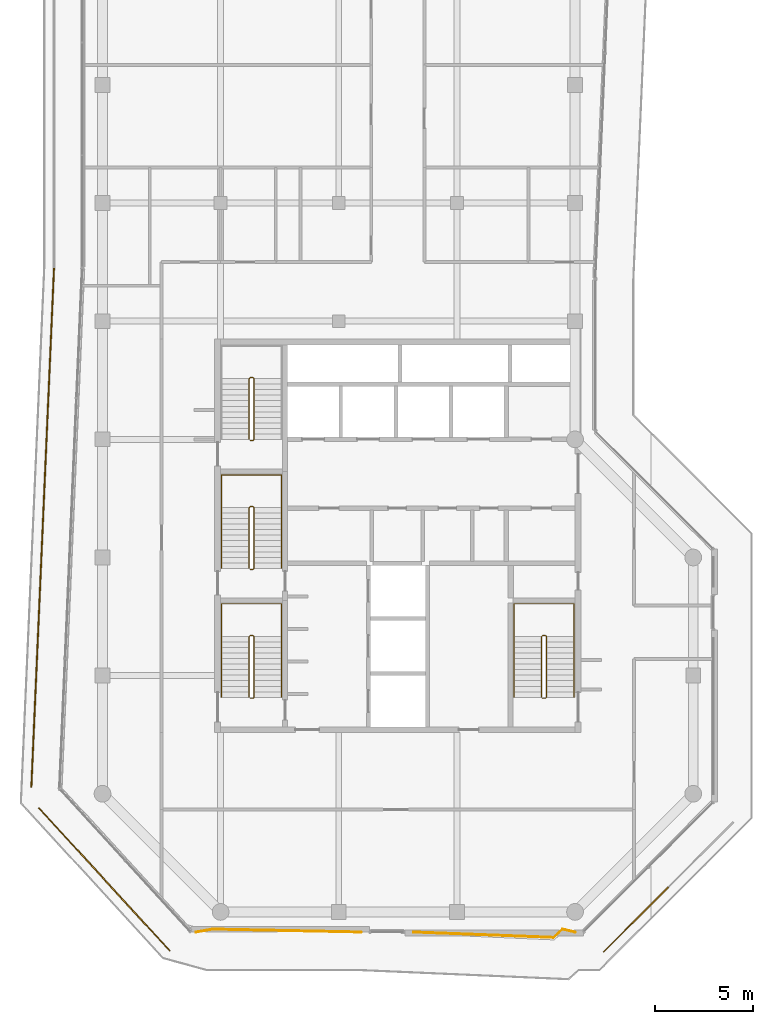
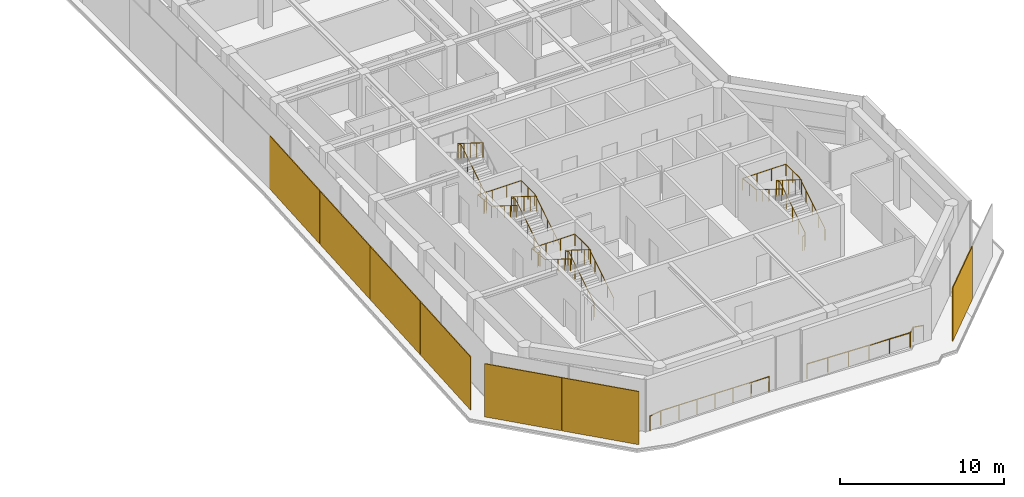
# One storey, part 18 of 19: 9 railings, 7 coverings.
"""IFC4 building model written with IfcOpenShell, lengths in metres."""

from ifc_helpers import new_model, si_unit, direction, frame, origin, origin_2d, place, context, subcontext, project, spatial, rectangle, circle, extrude, material, layer, layer_set, type_object, element, save


model = new_model("IFC4")

# Units and contexts
model_context = context("Model", 3, precision=1e-05, world=origin(), true_north=direction((0.0, 1.0)))
body_context = subcontext(model_context, "Body", "Model", "MODEL_VIEW")
ifc_project = project(units=[si_unit("LENGTHUNIT", "METRE"), si_unit("AREAUNIT", "SQUARE_METRE"), si_unit("VOLUMEUNIT", "CUBIC_METRE"), si_unit("PLANEANGLEUNIT", "RADIAN"), si_unit("MASSUNIT", "GRAM", prefix="KILO")], contexts=[model_context])

# Site, building, storey
site_placement = place(None, origin())
site = spatial("IfcSite", under=ifc_project, at=site_placement, CompositionType="ELEMENT")
building_placement = place(site_placement, origin())
building = spatial("IfcBuilding", under=site, at=building_placement, Name="Welwitschia Terrace Campus", CompositionType="ELEMENT")
storey_placement = place(building_placement, frame((0.0, 0.0, 276.800048828125)))
storey = spatial("IfcBuildingStorey", under=building, at=storey_placement, Name="L61", CompositionType="ELEMENT", Elevation=276.800048828125)

# Coverings
ifc_material_1 = material(Name="Bronze mesh aluminium screen", Category="aluminium")
ifc_layer = layer(ifc_material_1, 0.06005859375)
ifc_layer_set = layer_set([ifc_layer], Name="Bronze mesh aluminium screen")
covering_type = type_object("IfcCoveringType", Name="Bronze screen 60", PredefinedType="USERDEFINED", material=ifc_layer_set)
for number, where, z_axis, x_axis, name in (
    (1, (-2.60302734375, 25.47021484375, 0.0), (0.0, 0.0, 1.0), (-0.043619387365, -0.999048221582, 0.0), "Screen L61.0.0"),
    (2, (-2.891845703125, 18.8544921875, 0.0), (0.0, 0.0, 1.0), (-0.043619387365, -0.999048221582, 0.0), "Screen L61.0.1"),
    (3, (-3.1806640625, 12.239013671875, 0.0), (0.0, 0.0, 1.0), (-0.043619387365, -0.999048221582, 0.0), "Screen L61.0.2"),
    (4, (-3.469482421875, 5.623291015625, 0.0), (0.0, 0.0, 1.0), (-0.043619387365, -0.999048221582, 0.0), "Screen L61.0.3"),
):
    element("IfcCovering", number, at=place(storey_placement, frame(where, z_axis=z_axis, x_axis=x_axis)), inside=storey, type_object=covering_type, Name=name, ObjectType="SCREEN", PredefinedType="USERDEFINED", context=body_context, shape_type="SweptSolid", body=[
        extrude(rectangle(XDim=6.601806640625, YDim=0.06005859375, at=origin_2d()), origin(), (0.0, 0.0, 1.0), 3.949951171875),
    ])
for number, where, z_axis, x_axis, name in (
    (5, (-1.5712890625, -0.53369140625, 0.0), (0.0, 0.0, 1.0), (0.675590207616, -0.73727733681, 0.0), "Screen L61.1.0"),
    (6, (1.765869140625, -4.17529296875, 0.0), (0.0, 0.0, 1.0), (0.675590207616, -0.73727733681, 0.0), "Screen L61.1.1"),
):
    element("IfcCovering", number, at=place(storey_placement, frame(where, z_axis=z_axis, x_axis=x_axis)), inside=storey, type_object=covering_type, Name=name, ObjectType="SCREEN", PredefinedType="USERDEFINED", context=body_context, shape_type="SweptSolid", body=[
        extrude(rectangle(XDim=4.919189453125, YDim=0.06005859375, at=origin_2d()), origin(), (0.0, 0.0, 1.0), 3.949951171875),
    ])
covering_placement = place(storey_placement, frame((27.088623046875, -4.390380859375, 0.0), z_axis=(0.0, 0.0, 1.0), x_axis=(0.707106781187, 0.707106781187, 0.0)))
element("IfcCovering", 7, at=covering_placement, inside=storey, type_object=covering_type, Name="Screen L61.3.0", ObjectType="SCREEN", PredefinedType="USERDEFINED", context=body_context, shape_type="SweptSolid", body=[
    extrude(rectangle(XDim=4.6494140625, YDim=0.06005859375, at=origin_2d()), origin(), (0.0, 0.0, 1.0), 3.949951171875),
])

# Railings
ifc_material_2 = material(Name="Stainless steel grade 316", Category="steel")
railing_type_1 = type_object("IfcRailingType", Name="Guard 1100", PredefinedType="GUARDRAIL", material=ifc_material_2)
railing_1_placement = place(storey_placement, frame((13.1337890625, -5.030029296875, 0.0)))
element("IfcRailing", 8, at=railing_1_placement, inside=storey, type_object=railing_type_1, Name="Guard floor edge L61.1", PredefinedType="GUARDRAIL", context=body_context, shape_type="SweptSolid", body=[
    extrude(circle(Radius=0.02392578125, at=origin_2d()), frame((0.0, 0.0, 1.076171875), z_axis=(-0.999801353701, 0.019931210131, 0.0), x_axis=(-0.019931210131, -0.999801353701, 0.0)), (0.0, 0.0, 1.0), 7.533203125),
    extrude(circle(Radius=0.02392578125, at=origin_2d()), frame((-7.53173828125, 0.150146484375, 1.076171875), z_axis=(-0.984961218681, -0.172775570305, 0.0), x_axis=(0.172775570305, -0.984961218681, 0.0)), (0.0, 0.0, 1.0), 0.869140625),
    extrude(circle(Radius=0.02099609375, at=origin_2d()), origin(), (0.0, 0.0, 1.0), 1.052001953125),
    extrude(circle(Radius=0.02099609375, at=origin_2d()), frame((-1.25537109375, 0.02490234375, 0.0)), (0.0, 0.0, 1.0), 1.052001953125),
    extrude(circle(Radius=0.02099609375, at=origin_2d()), frame((-2.510498046875, 0.050048828125, 0.0)), (0.0, 0.0, 1.0), 1.052001953125),
    extrude(circle(Radius=0.02099609375, at=origin_2d()), frame((-3.765869140625, 0.0751953125, 0.0)), (0.0, 0.0, 1.0), 1.052001953125),
    extrude(circle(Radius=0.02099609375, at=origin_2d()), frame((-5.021240234375, 0.10009765625, 0.0)), (0.0, 0.0, 1.0), 1.052001953125),
    extrude(circle(Radius=0.02099609375, at=origin_2d()), frame((-6.2763671875, 0.125, 0.0)), (0.0, 0.0, 1.0), 1.052001953125),
    extrude(circle(Radius=0.02099609375, at=origin_2d()), frame((-7.53173828125, 0.150146484375, 0.0)), (0.0, 0.0, 1.0), 1.052001953125),
    extrude(circle(Radius=0.02099609375, at=origin_2d()), frame((-8.3876953125, 0.0, 0.0)), (0.0, 0.0, 1.0), 1.052001953125),
])
railing_2_placement = place(storey_placement, frame((24.0029296875, -5.030029296875, 0.0)))
element("IfcRailing", 9, at=railing_2_placement, inside=storey, type_object=railing_type_1, Name="Guard floor edge L61.3", PredefinedType="GUARDRAIL", context=body_context, shape_type="SweptSolid", body=[
    extrude(circle(Radius=0.02392578125, at=origin_2d()), frame((0.0, 0.0, 1.076171875), z_axis=(-0.97351944484, 0.228604222442, 0.0), x_axis=(-0.228604222442, -0.97351944484, 0.0)), (0.0, 0.0, 1.0), 0.65673828125),
    extrude(circle(Radius=0.02392578125, at=origin_2d()), frame((-0.639404296875, 0.150146484375, 1.076171875), z_axis=(-0.737154140201, -0.675724628517, 0.0), x_axis=(0.675724628517, -0.737154140201, 0.0)), (0.0, 0.0, 1.0), 0.6240234375),
    extrude(circle(Radius=0.02392578125, at=origin_2d()), frame((-1.099365234375, -0.271484375, 1.076171875), z_axis=(-0.999269325943, 0.038220599541, 0.0), x_axis=(-0.038220599541, -0.999269325943, 0.0)), (0.0, 0.0, 1.0), 7.10302734375),
    extrude(circle(Radius=0.02099609375, at=origin_2d()), origin(), (0.0, 0.0, 1.0), 1.052001953125),
    extrude(circle(Radius=0.02099609375, at=origin_2d()), frame((-0.639404296875, 0.150146484375, 0.0)), (0.0, 0.0, 1.0), 1.052001953125),
    extrude(circle(Radius=0.02099609375, at=origin_2d()), frame((-1.099365234375, -0.271484375, 0.0)), (0.0, 0.0, 1.0), 1.052001953125),
    extrude(circle(Radius=0.02099609375, at=origin_2d()), frame((-2.51904296875, -0.21728515625, 0.0)), (0.0, 0.0, 1.0), 1.052001953125),
    extrude(circle(Radius=0.02099609375, at=origin_2d()), frame((-3.9384765625, -0.162841796875, 0.0)), (0.0, 0.0, 1.0), 1.052001953125),
    extrude(circle(Radius=0.02099609375, at=origin_2d()), frame((-5.358154296875, -0.108642578125, 0.0)), (0.0, 0.0, 1.0), 1.052001953125),
    extrude(circle(Radius=0.02099609375, at=origin_2d()), frame((-6.777587890625, -0.05419921875, 0.0)), (0.0, 0.0, 1.0), 1.052001953125),
    extrude(circle(Radius=0.02099609375, at=origin_2d()), frame((-8.197265625, 0.0, 0.0)), (0.0, 0.0, 1.0), 1.052001953125),
])
ifc_material_3 = material(Name="Steel S355", Category="steel")
railing_type_2 = type_object("IfcRailingType", Name="Stair guard 1100", PredefinedType="GUARDRAIL", material=ifc_material_3)
railing_3_placement = place(storey_placement, frame((7.5, 6.85009765625, 0.0)))
element("IfcRailing", 10, at=railing_3_placement, inside=storey, type_object=railing_type_2, Name="L61 S1 stair guard", PredefinedType="GUARDRAIL", context=body_context, shape_type="SweptSolid", body=[
    extrude(circle(Radius=0.02392578125, at=origin_2d()), frame((0.0, 0.0, 1.076171875), z_axis=(1.0, 0.0, 0.0), x_axis=(0.0, 1.0, 0.0)), (0.0, 0.0, 1.0), 0.14990234375),
    extrude(circle(Radius=0.02392578125, at=origin_2d()), frame((0.14990234375, 0.0, 1.076171875), z_axis=(0.265155923931, 0.263862480399, 0.927399011991), x_axis=(-0.705375805398, 0.708833529934, 0.0)), (0.0, 0.0, 1.0), 0.188720703125),
    extrude(circle(Radius=0.02392578125, at=origin_2d()), frame((0.199951171875, 0.0498046875, 1.2509765625), z_axis=(0.0, 0.848028513186, 0.529950602248), x_axis=(-1.0, 0.0, 0.0)), (0.0, 0.0, 1.0), 3.632080078125),
    extrude(circle(Radius=0.02392578125, at=origin_2d()), frame((0.199951171875, 3.1298828125, 3.17578125), z_axis=(-0.707106781187, 0.707106781187, 0.0), x_axis=(-0.707106781187, -0.707106781187, 0.0)), (0.0, 0.0, 1.0), 0.07080078125),
    extrude(circle(Radius=0.02392578125, at=origin_2d()), frame((0.14990234375, 3.179931640625, 3.17578125), z_axis=(-1.0, 0.0, 0.0), x_axis=(0.0, -1.0, 0.0)), (0.0, 0.0, 1.0), 0.14990234375),
    extrude(circle(Radius=0.02392578125, at=origin_2d()), frame((0.0, 3.179931640625, 3.17578125), z_axis=(-0.265065253269, -0.265065253269, 0.927081885822), x_axis=(0.707106781187, -0.707106781187, 0.0)), (0.0, 0.0, 1.0), 0.188720703125),
    extrude(circle(Radius=0.02392578125, at=origin_2d()), frame((-0.050048828125, 3.1298828125, 3.35107421875), z_axis=(0.0, -0.847998304005, 0.529998940003), x_axis=(1.0, 0.0, 0.0)), (0.0, 0.0, 1.0), 3.632080078125),
    extrude(circle(Radius=0.02099609375, at=origin_2d()), origin(), (0.0, 0.0, 1.0), 1.052001953125),
    extrude(circle(Radius=0.02099609375, at=origin_2d()), frame((0.14990234375, 0.0, 0.0)), (0.0, 0.0, 1.0), 1.052001953125),
    extrude(circle(Radius=0.02099609375, at=origin_2d()), frame((0.199951171875, 0.0498046875, 0.175048828125)), (0.0, 0.0, 1.0), 1.052001953125),
    extrude(circle(Radius=0.02099609375, at=origin_2d()), frame((0.199951171875, 0.81982421875, 0.65625)), (0.0, 0.0, 1.0), 1.052001953125),
    extrude(circle(Radius=0.02099609375, at=origin_2d()), frame((0.199951171875, 1.58984375, 1.137451171875)), (0.0, 0.0, 1.0), 1.052001953125),
    extrude(circle(Radius=0.02099609375, at=origin_2d()), frame((0.199951171875, 2.35986328125, 1.61865234375)), (0.0, 0.0, 1.0), 1.052001953125),
    extrude(circle(Radius=0.02099609375, at=origin_2d()), frame((0.199951171875, 3.1298828125, 2.099853515625)), (0.0, 0.0, 1.0), 1.052001953125),
    extrude(circle(Radius=0.02099609375, at=origin_2d()), frame((0.14990234375, 3.179931640625, 2.099853515625)), (0.0, 0.0, 1.0), 1.052001953125),
    extrude(circle(Radius=0.02099609375, at=origin_2d()), frame((0.0, 3.179931640625, 2.099853515625)), (0.0, 0.0, 1.0), 1.052001953125),
    extrude(circle(Radius=0.02099609375, at=origin_2d()), frame((-0.050048828125, 3.1298828125, 2.27490234375)), (0.0, 0.0, 1.0), 1.052001953125),
    extrude(circle(Radius=0.02099609375, at=origin_2d()), frame((-0.050048828125, 2.35986328125, 2.756103515625)), (0.0, 0.0, 1.0), 1.052001953125),
    extrude(circle(Radius=0.02099609375, at=origin_2d()), frame((-0.050048828125, 1.58984375, 3.2373046875)), (0.0, 0.0, 1.0), 1.052001953125),
    extrude(circle(Radius=0.02099609375, at=origin_2d()), frame((-0.050048828125, 0.81982421875, 3.71875)), (0.0, 0.0, 1.0), 1.052001953125),
    extrude(circle(Radius=0.02099609375, at=origin_2d()), frame((-0.050048828125, 0.0498046875, 4.199951171875)), (0.0, 0.0, 1.0), 1.052001953125),
])
railing_4_placement = place(storey_placement, frame((7.5, 13.39990234375, 0.0)))
element("IfcRailing", 11, at=railing_4_placement, inside=storey, type_object=railing_type_2, Name="L61 S3 stair guard", PredefinedType="GUARDRAIL", context=body_context, shape_type="SweptSolid", body=[
    extrude(circle(Radius=0.02392578125, at=origin_2d()), frame((0.0, 0.0, 1.076171875), z_axis=(1.0, 0.0, 0.0), x_axis=(0.0, 1.0, 0.0)), (0.0, 0.0, 1.0), 0.14990234375),
    extrude(circle(Radius=0.02392578125, at=origin_2d()), frame((0.14990234375, 0.0, 1.076171875), z_axis=(0.265065253269, 0.265065253269, 0.927081885822), x_axis=(-0.707106781187, 0.707106781187, 0.0)), (0.0, 0.0, 1.0), 0.188720703125),
    extrude(circle(Radius=0.02392578125, at=origin_2d()), frame((0.199951171875, 0.050048828125, 1.2509765625), z_axis=(0.0, 0.848028513186, 0.529950602248), x_axis=(-1.0, 0.0, 0.0)), (0.0, 0.0, 1.0), 3.632080078125),
    extrude(circle(Radius=0.02392578125, at=origin_2d()), frame((0.199951171875, 3.130126953125, 3.17578125), z_axis=(-0.707106781187, 0.707106781187, 0.0), x_axis=(-0.707106781187, -0.707106781187, 0.0)), (0.0, 0.0, 1.0), 0.07080078125),
    extrude(circle(Radius=0.02392578125, at=origin_2d()), frame((0.14990234375, 3.18017578125, 3.17578125), z_axis=(-1.0, 0.0, 0.0), x_axis=(0.0, -1.0, 0.0)), (0.0, 0.0, 1.0), 0.14990234375),
    extrude(circle(Radius=0.02392578125, at=origin_2d()), frame((0.0, 3.18017578125, 3.17578125), z_axis=(-0.265065253269, -0.265065253269, 0.927081885822), x_axis=(0.707106781187, -0.707106781187, 0.0)), (0.0, 0.0, 1.0), 0.188720703125),
    extrude(circle(Radius=0.02392578125, at=origin_2d()), frame((-0.050048828125, 3.130126953125, 3.35107421875), z_axis=(0.0, -0.847998304005, 0.529998940003), x_axis=(1.0, 0.0, 0.0)), (0.0, 0.0, 1.0), 3.632080078125),
    extrude(circle(Radius=0.02099609375, at=origin_2d()), origin(), (0.0, 0.0, 1.0), 1.052001953125),
    extrude(circle(Radius=0.02099609375, at=origin_2d()), frame((0.14990234375, 0.0, 0.0)), (0.0, 0.0, 1.0), 1.052001953125),
    extrude(circle(Radius=0.02099609375, at=origin_2d()), frame((0.199951171875, 0.050048828125, 0.175048828125)), (0.0, 0.0, 1.0), 1.052001953125),
    extrude(circle(Radius=0.02099609375, at=origin_2d()), frame((0.199951171875, 0.820068359375, 0.65625)), (0.0, 0.0, 1.0), 1.052001953125),
    extrude(circle(Radius=0.02099609375, at=origin_2d()), frame((0.199951171875, 1.590087890625, 1.137451171875)), (0.0, 0.0, 1.0), 1.052001953125),
    extrude(circle(Radius=0.02099609375, at=origin_2d()), frame((0.199951171875, 2.360107421875, 1.61865234375)), (0.0, 0.0, 1.0), 1.052001953125),
    extrude(circle(Radius=0.02099609375, at=origin_2d()), frame((0.199951171875, 3.130126953125, 2.099853515625)), (0.0, 0.0, 1.0), 1.052001953125),
    extrude(circle(Radius=0.02099609375, at=origin_2d()), frame((0.14990234375, 3.18017578125, 2.099853515625)), (0.0, 0.0, 1.0), 1.052001953125),
    extrude(circle(Radius=0.02099609375, at=origin_2d()), frame((0.0, 3.18017578125, 2.099853515625)), (0.0, 0.0, 1.0), 1.052001953125),
    extrude(circle(Radius=0.02099609375, at=origin_2d()), frame((-0.050048828125, 3.130126953125, 2.27490234375)), (0.0, 0.0, 1.0), 1.052001953125),
    extrude(circle(Radius=0.02099609375, at=origin_2d()), frame((-0.050048828125, 2.360107421875, 2.756103515625)), (0.0, 0.0, 1.0), 1.052001953125),
    extrude(circle(Radius=0.02099609375, at=origin_2d()), frame((-0.050048828125, 1.590087890625, 3.2373046875)), (0.0, 0.0, 1.0), 1.052001953125),
    extrude(circle(Radius=0.02099609375, at=origin_2d()), frame((-0.050048828125, 0.820068359375, 3.71875)), (0.0, 0.0, 1.0), 1.052001953125),
    extrude(circle(Radius=0.02099609375, at=origin_2d()), frame((-0.050048828125, 0.050048828125, 4.199951171875)), (0.0, 0.0, 1.0), 1.052001953125),
])
railing_5_placement = place(storey_placement, frame((7.5, 19.949951171875, 0.0)))
element("IfcRailing", 12, at=railing_5_placement, inside=storey, type_object=railing_type_2, Name="L61 S4 stair guard", PredefinedType="GUARDRAIL", context=body_context, shape_type="SweptSolid", body=[
    extrude(circle(Radius=0.02392578125, at=origin_2d()), frame((0.0, 0.0, 1.076171875), z_axis=(1.0, 0.0, 0.0), x_axis=(0.0, 1.0, 0.0)), (0.0, 0.0, 1.0), 0.14990234375),
    extrude(circle(Radius=0.02392578125, at=origin_2d()), frame((0.14990234375, 0.0, 1.076171875), z_axis=(0.265065253269, 0.265065253269, 0.927081885822), x_axis=(-0.707106781187, 0.707106781187, 0.0)), (0.0, 0.0, 1.0), 0.188720703125),
    extrude(circle(Radius=0.02392578125, at=origin_2d()), frame((0.199951171875, 0.050048828125, 1.2509765625), z_axis=(0.0, 0.848028513186, 0.529950602248), x_axis=(-1.0, 0.0, 0.0)), (0.0, 0.0, 1.0), 3.632080078125),
    extrude(circle(Radius=0.02392578125, at=origin_2d()), frame((0.199951171875, 3.130126953125, 3.17578125), z_axis=(-0.708833529934, 0.705375805398, 0.0), x_axis=(-0.705375805398, -0.708833529934, 0.0)), (0.0, 0.0, 1.0), 0.070556640625),
    extrude(circle(Radius=0.02392578125, at=origin_2d()), frame((0.14990234375, 3.179931640625, 3.17578125), z_axis=(-1.0, 0.0, 0.0), x_axis=(0.0, -1.0, 0.0)), (0.0, 0.0, 1.0), 0.14990234375),
    extrude(circle(Radius=0.02392578125, at=origin_2d()), frame((0.0, 3.179931640625, 3.17578125), z_axis=(-0.265155923931, -0.263862480399, 0.927399011991), x_axis=(0.705375805398, -0.708833529934, 0.0)), (0.0, 0.0, 1.0), 0.188720703125),
    extrude(circle(Radius=0.02392578125, at=origin_2d()), frame((-0.050048828125, 3.130126953125, 3.35107421875), z_axis=(0.0, -0.847998304005, 0.529998940003), x_axis=(1.0, 0.0, 0.0)), (0.0, 0.0, 1.0), 3.632080078125),
    extrude(circle(Radius=0.02099609375, at=origin_2d()), origin(), (0.0, 0.0, 1.0), 1.052001953125),
    extrude(circle(Radius=0.02099609375, at=origin_2d()), frame((0.14990234375, 0.0, 0.0)), (0.0, 0.0, 1.0), 1.052001953125),
    extrude(circle(Radius=0.02099609375, at=origin_2d()), frame((0.199951171875, 0.050048828125, 0.175048828125)), (0.0, 0.0, 1.0), 1.052001953125),
    extrude(circle(Radius=0.02099609375, at=origin_2d()), frame((0.199951171875, 0.820068359375, 0.65625)), (0.0, 0.0, 1.0), 1.052001953125),
    extrude(circle(Radius=0.02099609375, at=origin_2d()), frame((0.199951171875, 1.590087890625, 1.137451171875)), (0.0, 0.0, 1.0), 1.052001953125),
    extrude(circle(Radius=0.02099609375, at=origin_2d()), frame((0.199951171875, 2.360107421875, 1.61865234375)), (0.0, 0.0, 1.0), 1.052001953125),
    extrude(circle(Radius=0.02099609375, at=origin_2d()), frame((0.199951171875, 3.130126953125, 2.099853515625)), (0.0, 0.0, 1.0), 1.052001953125),
    extrude(circle(Radius=0.02099609375, at=origin_2d()), frame((0.14990234375, 3.179931640625, 2.099853515625)), (0.0, 0.0, 1.0), 1.052001953125),
    extrude(circle(Radius=0.02099609375, at=origin_2d()), frame((0.0, 3.179931640625, 2.099853515625)), (0.0, 0.0, 1.0), 1.052001953125),
    extrude(circle(Radius=0.02099609375, at=origin_2d()), frame((-0.050048828125, 3.130126953125, 2.27490234375)), (0.0, 0.0, 1.0), 1.052001953125),
    extrude(circle(Radius=0.02099609375, at=origin_2d()), frame((-0.050048828125, 2.360107421875, 2.756103515625)), (0.0, 0.0, 1.0), 1.052001953125),
    extrude(circle(Radius=0.02099609375, at=origin_2d()), frame((-0.050048828125, 1.590087890625, 3.2373046875)), (0.0, 0.0, 1.0), 1.052001953125),
    extrude(circle(Radius=0.02099609375, at=origin_2d()), frame((-0.050048828125, 0.820068359375, 3.71875)), (0.0, 0.0, 1.0), 1.052001953125),
    extrude(circle(Radius=0.02099609375, at=origin_2d()), frame((-0.050048828125, 0.050048828125, 4.199951171875)), (0.0, 0.0, 1.0), 1.052001953125),
])
railing_6_placement = place(storey_placement, frame((22.35009765625, 6.85009765625, 0.0)))
element("IfcRailing", 13, at=railing_6_placement, inside=storey, type_object=railing_type_2, Name="L61 S2 stair guard", PredefinedType="GUARDRAIL", context=body_context, shape_type="SweptSolid", body=[
    extrude(circle(Radius=0.02392578125, at=origin_2d()), frame((0.0, 0.0, 1.076171875), z_axis=(1.0, 0.0, 0.0), x_axis=(0.0, 1.0, 0.0)), (0.0, 0.0, 1.0), 0.14990234375),
    extrude(circle(Radius=0.02392578125, at=origin_2d()), frame((0.14990234375, 0.0, 1.076171875), z_axis=(0.265155923931, 0.263862480399, 0.927399011991), x_axis=(-0.705375805398, 0.708833529934, 0.0)), (0.0, 0.0, 1.0), 0.188720703125),
    extrude(circle(Radius=0.02392578125, at=origin_2d()), frame((0.199951171875, 0.0498046875, 1.2509765625), z_axis=(0.0, 0.848028513186, 0.529950602248), x_axis=(-1.0, 0.0, 0.0)), (0.0, 0.0, 1.0), 3.632080078125),
    extrude(circle(Radius=0.02392578125, at=origin_2d()), frame((0.199951171875, 3.1298828125, 3.17578125), z_axis=(-0.707106781187, 0.707106781187, 0.0), x_axis=(-0.707106781187, -0.707106781187, 0.0)), (0.0, 0.0, 1.0), 0.07080078125),
    extrude(circle(Radius=0.02392578125, at=origin_2d()), frame((0.14990234375, 3.179931640625, 3.17578125), z_axis=(-1.0, 0.0, 0.0), x_axis=(0.0, -1.0, 0.0)), (0.0, 0.0, 1.0), 0.14990234375),
    extrude(circle(Radius=0.02392578125, at=origin_2d()), frame((0.0, 3.179931640625, 3.17578125), z_axis=(-0.265065253269, -0.265065253269, 0.927081885822), x_axis=(0.707106781187, -0.707106781187, 0.0)), (0.0, 0.0, 1.0), 0.188720703125),
    extrude(circle(Radius=0.02392578125, at=origin_2d()), frame((-0.050048828125, 3.1298828125, 3.35107421875), z_axis=(0.0, -0.847998304005, 0.529998940003), x_axis=(1.0, 0.0, 0.0)), (0.0, 0.0, 1.0), 3.632080078125),
    extrude(circle(Radius=0.02099609375, at=origin_2d()), origin(), (0.0, 0.0, 1.0), 1.052001953125),
    extrude(circle(Radius=0.02099609375, at=origin_2d()), frame((0.14990234375, 0.0, 0.0)), (0.0, 0.0, 1.0), 1.052001953125),
    extrude(circle(Radius=0.02099609375, at=origin_2d()), frame((0.199951171875, 0.0498046875, 0.175048828125)), (0.0, 0.0, 1.0), 1.052001953125),
    extrude(circle(Radius=0.02099609375, at=origin_2d()), frame((0.199951171875, 0.81982421875, 0.65625)), (0.0, 0.0, 1.0), 1.052001953125),
    extrude(circle(Radius=0.02099609375, at=origin_2d()), frame((0.199951171875, 1.58984375, 1.137451171875)), (0.0, 0.0, 1.0), 1.052001953125),
    extrude(circle(Radius=0.02099609375, at=origin_2d()), frame((0.199951171875, 2.35986328125, 1.61865234375)), (0.0, 0.0, 1.0), 1.052001953125),
    extrude(circle(Radius=0.02099609375, at=origin_2d()), frame((0.199951171875, 3.1298828125, 2.099853515625)), (0.0, 0.0, 1.0), 1.052001953125),
    extrude(circle(Radius=0.02099609375, at=origin_2d()), frame((0.14990234375, 3.179931640625, 2.099853515625)), (0.0, 0.0, 1.0), 1.052001953125),
    extrude(circle(Radius=0.02099609375, at=origin_2d()), frame((0.0, 3.179931640625, 2.099853515625)), (0.0, 0.0, 1.0), 1.052001953125),
    extrude(circle(Radius=0.02099609375, at=origin_2d()), frame((-0.050048828125, 3.1298828125, 2.27490234375)), (0.0, 0.0, 1.0), 1.052001953125),
    extrude(circle(Radius=0.02099609375, at=origin_2d()), frame((-0.050048828125, 2.35986328125, 2.756103515625)), (0.0, 0.0, 1.0), 1.052001953125),
    extrude(circle(Radius=0.02099609375, at=origin_2d()), frame((-0.050048828125, 1.58984375, 3.2373046875)), (0.0, 0.0, 1.0), 1.052001953125),
    extrude(circle(Radius=0.02099609375, at=origin_2d()), frame((-0.050048828125, 0.81982421875, 3.71875)), (0.0, 0.0, 1.0), 1.052001953125),
    extrude(circle(Radius=0.02099609375, at=origin_2d()), frame((-0.050048828125, 0.0498046875, 4.199951171875)), (0.0, 0.0, 1.0), 1.052001953125),
])
ifc_material_4 = material(Name="Steel S355", Category="steel")
railing_type_3 = type_object("IfcRailingType", Name="Stair handrail 900", PredefinedType="HANDRAIL", material=ifc_material_4)
railing_7_placement = place(storey_placement, frame((9.10009765625, 6.89990234375, 0.175048828125)))
element("IfcRailing", 14, at=railing_7_placement, inside=storey, type_object=railing_type_3, Name="L61 S1 stair handrail", PredefinedType="HANDRAIL", context=body_context, shape_type="SweptSolid", body=[
    extrude(circle(Radius=0.02392578125, at=origin_2d()), frame((0.0, 0.0, 0.8759765625), z_axis=(0.0, 0.848028513186, 0.529950602248), x_axis=(-1.0, 0.0, 0.0)), (0.0, 0.0, 1.0), 3.632080078125),
    extrude(circle(Radius=0.02392578125, at=origin_2d()), frame((0.0, 3.080078125, 2.80078125), z_axis=(0.0, 1.0, 0.0), x_axis=(-1.0, 0.0, 0.0)), (0.0, 0.0, 1.0), 1.669921875),
    extrude(circle(Radius=0.02392578125, at=origin_2d()), frame((0.0, 4.75, 2.80078125), z_axis=(-1.0, 0.0, 0.0), x_axis=(0.0, -1.0, 0.0)), (0.0, 0.0, 1.0), 3.050048828125),
    extrude(circle(Radius=0.02392578125, at=origin_2d()), frame((-3.050048828125, 4.75, 2.80078125), z_axis=(0.0, -0.99455077262, 0.104253348533), x_axis=(1.0, 0.0, 0.0)), (0.0, 0.0, 1.0), 1.678955078125),
    extrude(circle(Radius=0.02392578125, at=origin_2d()), frame((-3.050048828125, 3.080078125, 2.9755859375), z_axis=(0.0, -0.847998304005, 0.529998940003), x_axis=(1.0, 0.0, 0.0)), (0.0, 0.0, 1.0), 3.632080078125),
    extrude(circle(Radius=0.02099609375, at=origin_2d()), origin(), (0.0, 0.0, 1.0), 0.851806640625),
    extrude(circle(Radius=0.02099609375, at=origin_2d()), frame((0.0, 0.77001953125, 0.481201171875)), (0.0, 0.0, 1.0), 0.851806640625),
    extrude(circle(Radius=0.02099609375, at=origin_2d()), frame((0.0, 1.5400390625, 0.96240234375)), (0.0, 0.0, 1.0), 0.851806640625),
    extrude(circle(Radius=0.02099609375, at=origin_2d()), frame((0.0, 2.31005859375, 1.443603515625)), (0.0, 0.0, 1.0), 0.851806640625),
    extrude(circle(Radius=0.02099609375, at=origin_2d()), frame((0.0, 3.080078125, 1.9248046875)), (0.0, 0.0, 1.0), 0.851806640625),
    extrude(circle(Radius=0.02099609375, at=origin_2d()), frame((0.0, 3.9150390625, 1.9248046875)), (0.0, 0.0, 1.0), 0.851806640625),
    extrude(circle(Radius=0.02099609375, at=origin_2d()), frame((0.0, 4.75, 1.9248046875)), (0.0, 0.0, 1.0), 0.851806640625),
    extrude(circle(Radius=0.02099609375, at=origin_2d()), frame((-1.0166015625, 4.75, 1.9248046875)), (0.0, 0.0, 1.0), 0.851806640625),
    extrude(circle(Radius=0.02099609375, at=origin_2d()), frame((-2.033447265625, 4.75, 1.9248046875)), (0.0, 0.0, 1.0), 0.851806640625),
    extrude(circle(Radius=0.02099609375, at=origin_2d()), frame((-3.050048828125, 4.75, 1.9248046875)), (0.0, 0.0, 1.0), 0.851806640625),
    extrude(circle(Radius=0.02099609375, at=origin_2d()), frame((-3.050048828125, 3.9150390625, 2.01220703125)), (0.0, 0.0, 1.0), 0.851806640625),
    extrude(circle(Radius=0.02099609375, at=origin_2d()), frame((-3.050048828125, 3.080078125, 2.099853515625)), (0.0, 0.0, 1.0), 0.851806640625),
    extrude(circle(Radius=0.02099609375, at=origin_2d()), frame((-3.050048828125, 2.31005859375, 2.5810546875)), (0.0, 0.0, 1.0), 0.851806640625),
    extrude(circle(Radius=0.02099609375, at=origin_2d()), frame((-3.050048828125, 1.5400390625, 3.0625)), (0.0, 0.0, 1.0), 0.851806640625),
    extrude(circle(Radius=0.02099609375, at=origin_2d()), frame((-3.050048828125, 0.77001953125, 3.543701171875)), (0.0, 0.0, 1.0), 0.851806640625),
    extrude(circle(Radius=0.02099609375, at=origin_2d()), frame((-3.050048828125, 0.0, 4.02490234375)), (0.0, 0.0, 1.0), 0.851806640625),
])
railing_8_placement = place(storey_placement, frame((9.10009765625, 13.449951171875, 0.175048828125)))
element("IfcRailing", 15, at=railing_8_placement, inside=storey, type_object=railing_type_3, Name="L61 S3 stair handrail", PredefinedType="HANDRAIL", context=body_context, shape_type="SweptSolid", body=[
    extrude(circle(Radius=0.02392578125, at=origin_2d()), frame((0.0, 0.0, 0.8759765625), z_axis=(0.0, 0.848028513186, 0.529950602248), x_axis=(-1.0, 0.0, 0.0)), (0.0, 0.0, 1.0), 3.632080078125),
    extrude(circle(Radius=0.02392578125, at=origin_2d()), frame((0.0, 3.080078125, 2.80078125), z_axis=(0.0, 1.0, 0.0), x_axis=(-1.0, 0.0, 0.0)), (0.0, 0.0, 1.0), 1.669921875),
    extrude(circle(Radius=0.02392578125, at=origin_2d()), frame((0.0, 4.75, 2.80078125), z_axis=(-1.0, 0.0, 0.0), x_axis=(0.0, -1.0, 0.0)), (0.0, 0.0, 1.0), 3.050048828125),
    extrude(circle(Radius=0.02392578125, at=origin_2d()), frame((-3.050048828125, 4.75, 2.80078125), z_axis=(0.0, -0.99455077262, 0.104253348533), x_axis=(1.0, 0.0, 0.0)), (0.0, 0.0, 1.0), 1.678955078125),
    extrude(circle(Radius=0.02392578125, at=origin_2d()), frame((-3.050048828125, 3.080078125, 2.9755859375), z_axis=(0.0, -0.847998304005, 0.529998940003), x_axis=(1.0, 0.0, 0.0)), (0.0, 0.0, 1.0), 3.632080078125),
    extrude(circle(Radius=0.02099609375, at=origin_2d()), origin(), (0.0, 0.0, 1.0), 0.851806640625),
    extrude(circle(Radius=0.02099609375, at=origin_2d()), frame((0.0, 0.77001953125, 0.481201171875)), (0.0, 0.0, 1.0), 0.851806640625),
    extrude(circle(Radius=0.02099609375, at=origin_2d()), frame((0.0, 1.5400390625, 0.96240234375)), (0.0, 0.0, 1.0), 0.851806640625),
    extrude(circle(Radius=0.02099609375, at=origin_2d()), frame((0.0, 2.31005859375, 1.443603515625)), (0.0, 0.0, 1.0), 0.851806640625),
    extrude(circle(Radius=0.02099609375, at=origin_2d()), frame((0.0, 3.080078125, 1.9248046875)), (0.0, 0.0, 1.0), 0.851806640625),
    extrude(circle(Radius=0.02099609375, at=origin_2d()), frame((0.0, 3.9150390625, 1.9248046875)), (0.0, 0.0, 1.0), 0.851806640625),
    extrude(circle(Radius=0.02099609375, at=origin_2d()), frame((0.0, 4.75, 1.9248046875)), (0.0, 0.0, 1.0), 0.851806640625),
    extrude(circle(Radius=0.02099609375, at=origin_2d()), frame((-1.0166015625, 4.75, 1.9248046875)), (0.0, 0.0, 1.0), 0.851806640625),
    extrude(circle(Radius=0.02099609375, at=origin_2d()), frame((-2.033447265625, 4.75, 1.9248046875)), (0.0, 0.0, 1.0), 0.851806640625),
    extrude(circle(Radius=0.02099609375, at=origin_2d()), frame((-3.050048828125, 4.75, 1.9248046875)), (0.0, 0.0, 1.0), 0.851806640625),
    extrude(circle(Radius=0.02099609375, at=origin_2d()), frame((-3.050048828125, 3.9150390625, 2.01220703125)), (0.0, 0.0, 1.0), 0.851806640625),
    extrude(circle(Radius=0.02099609375, at=origin_2d()), frame((-3.050048828125, 3.080078125, 2.099853515625)), (0.0, 0.0, 1.0), 0.851806640625),
    extrude(circle(Radius=0.02099609375, at=origin_2d()), frame((-3.050048828125, 2.31005859375, 2.5810546875)), (0.0, 0.0, 1.0), 0.851806640625),
    extrude(circle(Radius=0.02099609375, at=origin_2d()), frame((-3.050048828125, 1.5400390625, 3.0625)), (0.0, 0.0, 1.0), 0.851806640625),
    extrude(circle(Radius=0.02099609375, at=origin_2d()), frame((-3.050048828125, 0.77001953125, 3.543701171875)), (0.0, 0.0, 1.0), 0.851806640625),
    extrude(circle(Radius=0.02099609375, at=origin_2d()), frame((-3.050048828125, 0.0, 4.02490234375)), (0.0, 0.0, 1.0), 0.851806640625),
])
railing_9_placement = place(storey_placement, frame((23.949951171875, 6.89990234375, 0.175048828125)))
element("IfcRailing", 16, at=railing_9_placement, inside=storey, type_object=railing_type_3, Name="L61 S2 stair handrail", PredefinedType="HANDRAIL", context=body_context, shape_type="SweptSolid", body=[
    extrude(circle(Radius=0.02392578125, at=origin_2d()), frame((0.0, 0.0, 0.8759765625), z_axis=(0.0, 0.848028513186, 0.529950602248), x_axis=(-1.0, 0.0, 0.0)), (0.0, 0.0, 1.0), 3.632080078125),
    extrude(circle(Radius=0.02392578125, at=origin_2d()), frame((0.0, 3.080078125, 2.80078125), z_axis=(0.0, 1.0, 0.0), x_axis=(-1.0, 0.0, 0.0)), (0.0, 0.0, 1.0), 1.669921875),
    extrude(circle(Radius=0.02392578125, at=origin_2d()), frame((0.0, 4.75, 2.80078125), z_axis=(-1.0, 0.0, 0.0), x_axis=(0.0, -1.0, 0.0)), (0.0, 0.0, 1.0), 3.050048828125),
    extrude(circle(Radius=0.02392578125, at=origin_2d()), frame((-3.050048828125, 4.75, 2.80078125), z_axis=(0.0, -0.99455077262, 0.104253348533), x_axis=(1.0, 0.0, 0.0)), (0.0, 0.0, 1.0), 1.678955078125),
    extrude(circle(Radius=0.02392578125, at=origin_2d()), frame((-3.050048828125, 3.080078125, 2.9755859375), z_axis=(0.0, -0.847998304005, 0.529998940003), x_axis=(1.0, 0.0, 0.0)), (0.0, 0.0, 1.0), 3.632080078125),
    extrude(circle(Radius=0.02099609375, at=origin_2d()), origin(), (0.0, 0.0, 1.0), 0.851806640625),
    extrude(circle(Radius=0.02099609375, at=origin_2d()), frame((0.0, 0.77001953125, 0.481201171875)), (0.0, 0.0, 1.0), 0.851806640625),
    extrude(circle(Radius=0.02099609375, at=origin_2d()), frame((0.0, 1.5400390625, 0.96240234375)), (0.0, 0.0, 1.0), 0.851806640625),
    extrude(circle(Radius=0.02099609375, at=origin_2d()), frame((0.0, 2.31005859375, 1.443603515625)), (0.0, 0.0, 1.0), 0.851806640625),
    extrude(circle(Radius=0.02099609375, at=origin_2d()), frame((0.0, 3.080078125, 1.9248046875)), (0.0, 0.0, 1.0), 0.851806640625),
    extrude(circle(Radius=0.02099609375, at=origin_2d()), frame((0.0, 3.9150390625, 1.9248046875)), (0.0, 0.0, 1.0), 0.851806640625),
    extrude(circle(Radius=0.02099609375, at=origin_2d()), frame((0.0, 4.75, 1.9248046875)), (0.0, 0.0, 1.0), 0.851806640625),
    extrude(circle(Radius=0.02099609375, at=origin_2d()), frame((-1.0166015625, 4.75, 1.9248046875)), (0.0, 0.0, 1.0), 0.851806640625),
    extrude(circle(Radius=0.02099609375, at=origin_2d()), frame((-2.033447265625, 4.75, 1.9248046875)), (0.0, 0.0, 1.0), 0.851806640625),
    extrude(circle(Radius=0.02099609375, at=origin_2d()), frame((-3.050048828125, 4.75, 1.9248046875)), (0.0, 0.0, 1.0), 0.851806640625),
    extrude(circle(Radius=0.02099609375, at=origin_2d()), frame((-3.050048828125, 3.9150390625, 2.01220703125)), (0.0, 0.0, 1.0), 0.851806640625),
    extrude(circle(Radius=0.02099609375, at=origin_2d()), frame((-3.050048828125, 3.080078125, 2.099853515625)), (0.0, 0.0, 1.0), 0.851806640625),
    extrude(circle(Radius=0.02099609375, at=origin_2d()), frame((-3.050048828125, 2.31005859375, 2.5810546875)), (0.0, 0.0, 1.0), 0.851806640625),
    extrude(circle(Radius=0.02099609375, at=origin_2d()), frame((-3.050048828125, 1.5400390625, 3.0625)), (0.0, 0.0, 1.0), 0.851806640625),
    extrude(circle(Radius=0.02099609375, at=origin_2d()), frame((-3.050048828125, 0.77001953125, 3.543701171875)), (0.0, 0.0, 1.0), 0.851806640625),
    extrude(circle(Radius=0.02099609375, at=origin_2d()), frame((-3.050048828125, 0.0, 4.02490234375)), (0.0, 0.0, 1.0), 0.851806640625),
])

save(model, "model.ifc")
